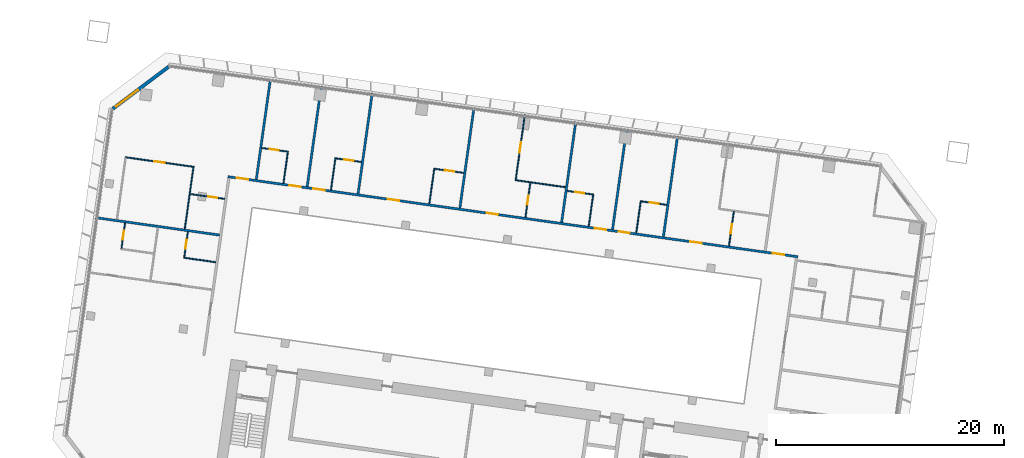
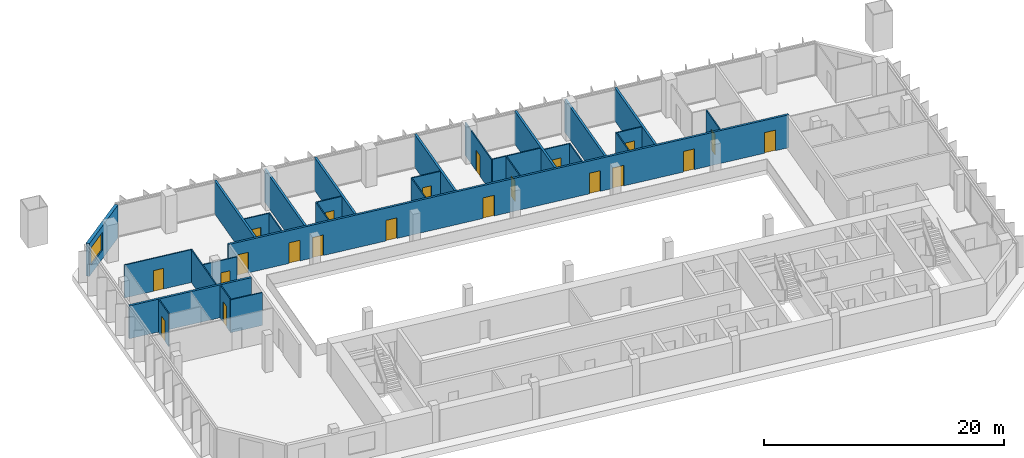
# One storey, part 16 of 24: 30 walls, 21 doors, 1 window, 22 openings.
"""IFC4 building model written with IfcOpenShell, lengths in metres."""

import ifcopenshell
import ifcopenshell.guid

model = None  # the IFC model being written
_history = None  # IfcOwnerHistory: only IFC2X3 demands one
_inside = {}  # id of a spatial element -> (the spatial element, [elements in it])
_under = {}  # id of a project, library or spatial element -> (it, [spatial elements below it])
_declared = {}  # id of a project -> (the project, [libraries it declares])
_typed = {}  # id of a type object -> (the type object, [elements of that type])
_made_of = {}  # id of a material, layer set ... -> (it, [elements and type objects made of it])


def new_model(schema):
    """Start an empty IFC model of exactly this schema.

    Asked for "IFC4X3", IfcOpenShell would pick the latest addendum, in which some entities
    have other attributes; the version numbers below select the first issue.
    IFC2X3 requires an IfcOwnerHistory on every rooted entity: one is made here for all.
    """
    global model, _history
    if schema == "IFC4X3":
        model = ifcopenshell.file(schema_version=(4, 3, 0, 0))
    else:
        model = ifcopenshell.file(schema=schema)
    _inside.clear()
    _under.clear()
    _declared.clear()
    _typed.clear()
    _made_of.clear()
    _history = None
    if model.schema == "IFC2X3":
        org = make("IfcOrganization", Name="unknown")
        user = make(
            "IfcPersonAndOrganization",
            ThePerson=make("IfcPerson", FamilyName="unknown"),
            TheOrganization=org,
        )
        app = make(
            "IfcApplication",
            ApplicationDeveloper=org,
            Version="unknown",
            ApplicationFullName="unknown",
            ApplicationIdentifier="unknown",
        )
        _history = make(
            "IfcOwnerHistory",
            OwningUser=user,
            OwningApplication=app,
            ChangeAction="ADDED",
            CreationDate=0,
        )
    return model


def make(cls, **values):
    """One entity of the class cls with the attributes given. An attribute that is None is left unset."""
    return model.create_entity(
        cls, **{name: value for name, value in values.items() if value is not None}
    )


def rooted(cls, **values):
    """An entity with a GlobalId (a new one), such as an element, a storey or a relation."""
    return make(cls, GlobalId=ifcopenshell.guid.new(), OwnerHistory=_history, **values)


def si_unit(unit_type, name, prefix=None):
    """IfcSIUnit, for example si_unit("LENGTHUNIT", "METRE", prefix="MILLI")."""
    return make("IfcSIUnit", UnitType=unit_type, Prefix=prefix, Name=name)


def assignment(units):
    """IfcUnitAssignment: the units of a project."""
    return None if units is None else make("IfcUnitAssignment", Units=units)


def point(xyz):
    """IfcCartesianPoint."""
    return None if xyz is None else make("IfcCartesianPoint", Coordinates=xyz)


def direction(xyz):
    """IfcDirection."""
    return None if xyz is None else make("IfcDirection", DirectionRatios=xyz)


def frame(location, z_axis=None, x_axis=None):
    """IfcAxis2Placement3D, a coordinate frame: its origin and axes. An axis left out is left unset."""
    return make(
        "IfcAxis2Placement3D",
        Location=point(location),
        Axis=direction(z_axis),
        RefDirection=direction(x_axis),
    )


def frame_2d(location, x_axis=None):
    """IfcAxis2Placement2D, a coordinate frame in the plane: its origin and x axis."""
    return make(
        "IfcAxis2Placement2D", Location=point(location), RefDirection=direction(x_axis)
    )


def origin():
    """The frame at (0, 0, 0) with its axes left unset."""
    return frame((0.0, 0.0, 0.0))


def place(relative_to, where):
    """IfcLocalPlacement: puts the frame where relative to a parent placement (None: the world)."""
    return make(
        "IfcLocalPlacement", PlacementRelTo=relative_to, RelativePlacement=where
    )


def context(
    kind, dimensions, precision=None, world=None, true_north=None, identifier=None
):
    """IfcGeometricRepresentationContext, for example the 3D "Model" context."""
    return make(
        "IfcGeometricRepresentationContext",
        ContextIdentifier=identifier,
        ContextType=kind,
        CoordinateSpaceDimension=dimensions,
        Precision=precision,
        WorldCoordinateSystem=world,
        TrueNorth=true_north,
    )


def subcontext(parent, identifier, kind, view, scale=None):
    """IfcGeometricRepresentationSubContext, for example "Body" below "Model"."""
    return make(
        "IfcGeometricRepresentationSubContext",
        ContextIdentifier=identifier,
        ContextType=kind,
        ParentContext=parent,
        TargetScale=scale,
        TargetView=view,
    )


def project(units=None, contexts=None):
    """IfcProject with its units and contexts."""
    return rooted(
        "IfcProject",
        Name="project",
        RepresentationContexts=contexts,
        UnitsInContext=assignment(units),
    )


def spatial(cls, under=None, at=None, **own):
    """A site, building, storey or space (cls), placed at a placement, below another one or the project."""
    s = rooted(cls, ObjectPlacement=at, **own)
    if under is not None:
        _under.setdefault(under.id(), (under, []))[1].append(s)
    return s


def profile(cls, at=None, kind="AREA", **sizes):
    """A parametric profile (cls). Its sizes go by their IFC names, for example OverallWidth=200.0."""
    return make(cls, ProfileType=kind, Position=at, **sizes)


def rectangle(**sizes):
    """IfcRectangleProfileDef."""
    return profile("IfcRectangleProfileDef", **sizes)


def extrude(swept, where, along, depth):
    """IfcExtrudedAreaSolid: the profile swept, set in the frame where, extruded along a direction by depth."""
    return make(
        "IfcExtrudedAreaSolid",
        SweptArea=swept,
        Position=where,
        ExtrudedDirection=direction(along),
        Depth=depth,
    )


def shape(context_of_items, identifier, shape_type, items):
    """IfcShapeRepresentation: the items that make up one representation, for example the "Body"."""
    return make(
        "IfcShapeRepresentation",
        ContextOfItems=context_of_items,
        RepresentationIdentifier=identifier,
        RepresentationType=shape_type,
        Items=items,
    )


def material(Name=None, Category=None):
    """IfcMaterial."""
    return make("IfcMaterial", Name=Name, Category=Category)


def layer(
    of_material, thickness, ventilated=None, Name=None, Category=None, Priority=None
):
    """IfcMaterialLayer: one layer of a wall or slab, of a material (None: an air gap)."""
    return make(
        "IfcMaterialLayer",
        Material=of_material,
        LayerThickness=thickness,
        IsVentilated=ventilated,
        Name=Name,
        Category=Category,
        Priority=Priority,
    )


def layer_set(layers, Name=None):
    """IfcMaterialLayerSet."""
    return make("IfcMaterialLayerSet", MaterialLayers=layers, LayerSetName=Name)


def made_of(thing, what):
    """Note that an element or type object is made of a material, layer set ...; save() writes the relation."""
    if what is not None:
        _made_of.setdefault(what.id(), (what, []))[1].append(thing)
    return thing


def type_object(cls, material=None, **own):
    """A type object (cls), such as IfcWallType, which elements share."""
    return made_of(rooted(cls, **own), material)


def element(
    cls,
    number,
    at=None,
    inside=None,
    cuts=None,
    type_object=None,
    material=None,
    context=None,
    identifier="Body",
    shape_type=None,
    held_by="IfcProductDefinitionShape",
    body=None,
    shapes=None,
    **own,
):
    """One element of the class cls, such as IfcWall. Its Tag is "e" and its number.

    at: its placement. inside: the storey or other place that contains it. cuts: it is an
    opening in that element (IfcRelVoidsElement). A single representation is given by context,
    identifier, shape_type and body (its items); several are given by shapes. held_by: the class
    of the entity that holds the representations. save() writes the other relations.
    """
    e = rooted(cls, Tag="e%d" % number, ObjectPlacement=at, **own)
    if body is not None:
        shapes = [shape(context, identifier, shape_type, body)]
    if shapes is not None:
        e.Representation = make(held_by, Representations=shapes)
    if inside is not None:
        _inside.setdefault(inside.id(), (inside, []))[1].append(e)
    if cuts is not None:
        rooted(
            "IfcRelVoidsElement", RelatingBuildingElement=cuts, RelatedOpeningElement=e
        )
    if type_object is not None:
        _typed.setdefault(type_object.id(), (type_object, []))[1].append(e)
    return made_of(e, material)


def fill(opening, filler):
    """IfcRelFillsElement: the door or window that sits in an opening."""
    return rooted(
        "IfcRelFillsElement",
        RelatingOpeningElement=opening,
        RelatedBuildingElement=filler,
    )


def aggregate(whole, parts):
    """IfcRelAggregates: a whole, such as a stair, and the parts it consists of."""
    return rooted("IfcRelAggregates", RelatingObject=whole, RelatedObjects=parts)


def save(model, path):
    """Write the relations noted so far, then the file.

    IfcRelAggregates (storeys below a building ...), IfcRelContainedInSpatialStructure (elements
    in a storey), IfcRelDefinesByType, IfcRelAssociatesMaterial and IfcRelDeclares: one each for
    every whole, place, type object, material and project.
    """
    for whole, parts in _under.values():
        aggregate(whole, parts)
    for where, things in _inside.values():
        rooted(
            "IfcRelContainedInSpatialStructure",
            RelatedElements=things,
            RelatingStructure=where,
        )
    for kind, things in _typed.values():
        rooted("IfcRelDefinesByType", RelatedObjects=things, RelatingType=kind)
    for what, things in _made_of.values():
        rooted("IfcRelAssociatesMaterial", RelatedObjects=things, RelatingMaterial=what)
    for by, libraries in _declared.values():
        rooted("IfcRelDeclares", RelatingContext=by, RelatedDefinitions=libraries)
    model.write(path)


model = new_model("IFC4")

# Units and contexts
model_context = context("Model", 3, precision=1e-05, world=origin(), true_north=direction((0.0, 1.0)))
body_context = subcontext(model_context, "Body", "Model", "MODEL_VIEW")
ifc_project = project(units=[si_unit("LENGTHUNIT", "METRE"), si_unit("AREAUNIT", "SQUARE_METRE"), si_unit("VOLUMEUNIT", "CUBIC_METRE"), si_unit("PLANEANGLEUNIT", "RADIAN"), si_unit("MASSUNIT", "GRAM", prefix="KILO")], contexts=[model_context])

# Site, building, storey
site_placement = place(None, origin())
site = spatial("IfcSite", under=ifc_project, at=site_placement, CompositionType="ELEMENT")
building_placement = place(site_placement, origin())
building = spatial("IfcBuilding", under=site, at=building_placement, Name="Mirante Cascada Hotel Towers", CompositionType="ELEMENT")
storey_placement = place(building_placement, frame((0.0, 0.0, 85.1)))
storey = spatial("IfcBuildingStorey", under=building, at=storey_placement, Name="L18", CompositionType="ELEMENT", Elevation=85.1)

# Wall
ifc_material_1 = material(Name="Fire-rated plasterboard on metal studs")
ifc_layer_1 = layer(ifc_material_1, 0.2)
ifc_layer_set_1 = layer_set([ifc_layer_1], Name="Compartment wall 200 EI 120")
wall_type_1 = type_object("IfcWallType", Name="Compartment wall 200 EI 120", PredefinedType="PARTITIONING", material=ifc_layer_set_1)
wall_1_placement = place(storey_placement, frame((-89.7337, 11.2758, 0.0), z_axis=(0.0, 0.0, 1.0), x_axis=(-0.990268, 0.1391733, 0.0)))
element("IfcWall", 1, at=wall_1_placement, inside=storey, type_object=wall_type_1, Name="Wall 1-L18-09", PredefinedType="PARTITIONING", context=body_context, shape_type="SweptSolid", body=[
    extrude(rectangle(XDim=11.0, YDim=0.2, at=frame_2d((5.5, 0.0))), origin(), (0.0, 0.0, 1.0), 3.35),
])

# Wall, openings, doors
wall_2_placement = place(storey_placement, frame((-89.0146, 16.3922, 0.0), z_axis=(0.0, 0.0, 1.0), x_axis=(0.9902681, -0.1391727, 0.0)))
wall_2 = element("IfcWall", 2, at=wall_2_placement, inside=storey, type_object=wall_type_1, Name="Wall 1-L18-14", PredefinedType="PARTITIONING", context=body_context, shape_type="SweptSolid", body=[
    extrude(rectangle(XDim=50.4, YDim=0.2, at=frame_2d((25.2, 0.0))), origin(), (0.0, 0.0, 1.0), 3.35),
])
opening_1_placement = place(wall_2_placement, frame((48.2, 0.0, 0.0)))
opening_1 = element("IfcOpeningElement", 3, at=opening_1_placement, cuts=wall_2, Name="Opening D1-L18-08", PredefinedType="OPENING", context=body_context, shape_type="SweptSolid", body=[
    extrude(rectangle(XDim=1.0, YDim=2.1, at=frame_2d((0.5, 1.05))), frame((0.0, 0.1, 0.0), z_axis=(0.0, -1.0, 0.0), x_axis=(1.0, 0.0, 0.0)), (0.0, 0.0, 1.0), 0.2),
])
opening_2_placement = place(wall_2_placement, frame((40.9, 0.0, 0.0)))
opening_2 = element("IfcOpeningElement", 4, at=opening_2_placement, cuts=wall_2, Name="Opening D1-L18-09", PredefinedType="OPENING", context=body_context, shape_type="SweptSolid", body=[
    extrude(rectangle(XDim=1.0, YDim=2.1, at=frame_2d((0.5, 1.05))), frame((0.0, 0.1, 0.0), z_axis=(0.0, -1.0, 0.0), x_axis=(1.0, 0.0, 0.0)), (0.0, 0.0, 1.0), 0.2),
])
opening_3_placement = place(wall_2_placement, frame((34.55, 0.0, 0.0)))
opening_3 = element("IfcOpeningElement", 5, at=opening_3_placement, cuts=wall_2, Name="Opening D1-L18-10", PredefinedType="OPENING", context=body_context, shape_type="SweptSolid", body=[
    extrude(rectangle(XDim=1.0, YDim=2.1, at=frame_2d((0.5, 1.05))), frame((0.0, 0.1, 0.0), z_axis=(0.0, -1.0, 0.0), x_axis=(1.0, 0.0, 0.0)), (0.0, 0.0, 1.0), 0.2),
])
opening_4_placement = place(wall_2_placement, frame((32.45, 0.0, 0.0)))
opening_4 = element("IfcOpeningElement", 6, at=opening_4_placement, cuts=wall_2, Name="Opening D1-L18-11", PredefinedType="OPENING", context=body_context, shape_type="SweptSolid", body=[
    extrude(rectangle(XDim=1.0, YDim=2.1, at=frame_2d((0.5, 1.05))), frame((0.0, 0.1, 0.0), z_axis=(0.0, -1.0, 0.0), x_axis=(1.0, 0.0, 0.0)), (0.0, 0.0, 1.0), 0.2),
])
opening_5_placement = place(wall_2_placement, frame((22.9, 0.0, 0.0)))
opening_5 = element("IfcOpeningElement", 7, at=opening_5_placement, cuts=wall_2, Name="Opening D1-L18-12", PredefinedType="OPENING", context=body_context, shape_type="SweptSolid", body=[
    extrude(rectangle(XDim=1.0, YDim=2.1, at=frame_2d((0.5, 1.05))), frame((0.0, 0.1, 0.0), z_axis=(0.0, -1.0, 0.0), x_axis=(1.0, 0.0, 0.0)), (0.0, 0.0, 1.0), 0.2),
])
opening_6_placement = place(wall_2_placement, frame((14.15, 0.0, 0.0)))
opening_6 = element("IfcOpeningElement", 8, at=opening_6_placement, cuts=wall_2, Name="Opening D1-L18-13", PredefinedType="OPENING", context=body_context, shape_type="SweptSolid", body=[
    extrude(rectangle(XDim=1.0, YDim=2.1, at=frame_2d((0.5, 1.05))), frame((0.0, 0.1, 0.0), z_axis=(0.0, -1.0, 0.0), x_axis=(1.0, 0.0, 0.0)), (0.0, 0.0, 1.0), 0.2),
])
opening_7_placement = place(wall_2_placement, frame((7.55, 0.0, 0.0)))
opening_7 = element("IfcOpeningElement", 9, at=opening_7_placement, cuts=wall_2, Name="Opening D1-L18-14", PredefinedType="OPENING", context=body_context, shape_type="SweptSolid", body=[
    extrude(rectangle(XDim=1.0, YDim=2.1, at=frame_2d((0.5, 1.05))), frame((0.0, 0.1, 0.0), z_axis=(0.0, -1.0, 0.0), x_axis=(1.0, 0.0, 0.0)), (0.0, 0.0, 1.0), 0.2),
])
opening_8_placement = place(wall_2_placement, frame((5.45, 0.0, 0.0)))
opening_8 = element("IfcOpeningElement", 10, at=opening_8_placement, cuts=wall_2, Name="Opening D1-L18-15", PredefinedType="OPENING", context=body_context, shape_type="SweptSolid", body=[
    extrude(rectangle(XDim=1.0, YDim=2.1, at=frame_2d((0.5, 1.05))), frame((0.0, 0.1, 0.0), z_axis=(0.0, -1.0, 0.0), x_axis=(1.0, 0.0, 0.0)), (0.0, 0.0, 1.0), 0.2),
])
opening_9_placement = place(wall_2_placement, frame((0.8, 0.0, 0.0)))
opening_9 = element("IfcOpeningElement", 11, at=opening_9_placement, cuts=wall_2, Name="Opening D1-L18-16", PredefinedType="OPENING", context=body_context, shape_type="SweptSolid", body=[
    extrude(rectangle(XDim=1.0, YDim=2.1, at=frame_2d((0.5, 1.05))), frame((0.0, 0.1, 0.0), z_axis=(0.0, -1.0, 0.0), x_axis=(1.0, 0.0, 0.0)), (0.0, 0.0, 1.0), 0.2),
])
ifc_material_2 = material(Name="Fire-rated timber door leaf", Category="wood")
door_type_1 = type_object("IfcDoorType", Name="Entrance door DG1 1000x2100 EI 60", OperationType="SINGLE_SWING_LEFT", PredefinedType="DOOR", material=ifc_material_2)
door_1_placement = place(opening_1_placement, origin())
door_1 = element("IfcDoor", 12, at=door_1_placement, inside=storey, type_object=door_type_1, Name="Door D1-L18-08", OperationType="SINGLE_SWING_LEFT", OverallHeight=2.1, OverallWidth=1.0, PredefinedType="DOOR", context=body_context, shape_type="SweptSolid", body=[
    extrude(rectangle(XDim=1.0, YDim=2.1, at=frame_2d((0.5, 1.05))), frame((0.0, 0.025, 0.0), z_axis=(0.0, -1.0, 0.0), x_axis=(1.0, 0.0, 0.0)), (0.0, 0.0, 1.0), 0.05),
])
fill(opening_1, door_1)
door_2_placement = place(opening_2_placement, origin())
door_2 = element("IfcDoor", 13, at=door_2_placement, inside=storey, type_object=door_type_1, Name="Door D1-L18-09", OperationType="SINGLE_SWING_LEFT", OverallHeight=2.1, OverallWidth=1.0, PredefinedType="DOOR", context=body_context, shape_type="SweptSolid", body=[
    extrude(rectangle(XDim=1.0, YDim=2.1, at=frame_2d((0.5, 1.05))), frame((0.0, 0.025, 0.0), z_axis=(0.0, -1.0, 0.0), x_axis=(1.0, 0.0, 0.0)), (0.0, 0.0, 1.0), 0.05),
])
fill(opening_2, door_2)
door_3_placement = place(opening_3_placement, origin())
door_3 = element("IfcDoor", 14, at=door_3_placement, inside=storey, type_object=door_type_1, Name="Door D1-L18-10", OperationType="SINGLE_SWING_LEFT", OverallHeight=2.1, OverallWidth=1.0, PredefinedType="DOOR", context=body_context, shape_type="SweptSolid", body=[
    extrude(rectangle(XDim=1.0, YDim=2.1, at=frame_2d((0.5, 1.05))), frame((0.0, 0.025, 0.0), z_axis=(0.0, -1.0, 0.0), x_axis=(1.0, 0.0, 0.0)), (0.0, 0.0, 1.0), 0.05),
])
fill(opening_3, door_3)
door_4_placement = place(opening_4_placement, origin())
door_4 = element("IfcDoor", 15, at=door_4_placement, inside=storey, type_object=door_type_1, Name="Door D1-L18-11", OperationType="SINGLE_SWING_LEFT", OverallHeight=2.1, OverallWidth=1.0, PredefinedType="DOOR", context=body_context, shape_type="SweptSolid", body=[
    extrude(rectangle(XDim=1.0, YDim=2.1, at=frame_2d((0.5, 1.05))), frame((0.0, 0.025, 0.0), z_axis=(0.0, -1.0, 0.0), x_axis=(1.0, 0.0, 0.0)), (0.0, 0.0, 1.0), 0.05),
])
fill(opening_4, door_4)
door_5_placement = place(opening_5_placement, origin())
door_5 = element("IfcDoor", 16, at=door_5_placement, inside=storey, type_object=door_type_1, Name="Door D1-L18-12", OperationType="SINGLE_SWING_LEFT", OverallHeight=2.1, OverallWidth=1.0, PredefinedType="DOOR", context=body_context, shape_type="SweptSolid", body=[
    extrude(rectangle(XDim=1.0, YDim=2.1, at=frame_2d((0.5, 1.05))), frame((0.0, 0.025, 0.0), z_axis=(0.0, -1.0, 0.0), x_axis=(1.0, 0.0, 0.0)), (0.0, 0.0, 1.0), 0.05),
])
fill(opening_5, door_5)
door_6_placement = place(opening_6_placement, origin())
door_6 = element("IfcDoor", 17, at=door_6_placement, inside=storey, type_object=door_type_1, Name="Door D1-L18-13", OperationType="SINGLE_SWING_LEFT", OverallHeight=2.1, OverallWidth=1.0, PredefinedType="DOOR", context=body_context, shape_type="SweptSolid", body=[
    extrude(rectangle(XDim=1.0, YDim=2.1, at=frame_2d((0.5, 1.05))), frame((0.0, 0.025, 0.0), z_axis=(0.0, -1.0, 0.0), x_axis=(1.0, 0.0, 0.0)), (0.0, 0.0, 1.0), 0.05),
])
fill(opening_6, door_6)
door_7_placement = place(opening_7_placement, origin())
door_7 = element("IfcDoor", 18, at=door_7_placement, inside=storey, type_object=door_type_1, Name="Door D1-L18-14", OperationType="SINGLE_SWING_LEFT", OverallHeight=2.1, OverallWidth=1.0, PredefinedType="DOOR", context=body_context, shape_type="SweptSolid", body=[
    extrude(rectangle(XDim=1.0, YDim=2.1, at=frame_2d((0.5, 1.05))), frame((0.0, 0.025, 0.0), z_axis=(0.0, -1.0, 0.0), x_axis=(1.0, 0.0, 0.0)), (0.0, 0.0, 1.0), 0.05),
])
fill(opening_7, door_7)
door_8_placement = place(opening_8_placement, origin())
door_8 = element("IfcDoor", 19, at=door_8_placement, inside=storey, type_object=door_type_1, Name="Door D1-L18-15", OperationType="SINGLE_SWING_LEFT", OverallHeight=2.1, OverallWidth=1.0, PredefinedType="DOOR", context=body_context, shape_type="SweptSolid", body=[
    extrude(rectangle(XDim=1.0, YDim=2.1, at=frame_2d((0.5, 1.05))), frame((0.0, 0.025, 0.0), z_axis=(0.0, -1.0, 0.0), x_axis=(1.0, 0.0, 0.0)), (0.0, 0.0, 1.0), 0.05),
])
fill(opening_8, door_8)
door_9_placement = place(opening_9_placement, origin())
door_9 = element("IfcDoor", 20, at=door_9_placement, inside=storey, type_object=door_type_1, Name="Door D1-L18-16", OperationType="SINGLE_SWING_LEFT", OverallHeight=2.1, OverallWidth=1.0, PredefinedType="DOOR", context=body_context, shape_type="SweptSolid", body=[
    extrude(rectangle(XDim=1.0, YDim=2.1, at=frame_2d((0.5, 1.05))), frame((0.0, 0.025, 0.0), z_axis=(0.0, -1.0, 0.0), x_axis=(1.0, 0.0, 0.0)), (0.0, 0.0, 1.0), 0.05),
])
fill(opening_9, door_9)

# Walls
for number, where, z_axis, x_axis, name in (
    (21, (-50.8754, 11.1331, 0.0), (0.0, 0.0, 1.0), (0.1391794, 0.9902672, 0.0), "Wall 1-L18-35"),
    (22, (-55.3316, 11.7594, 0.0), (0.0, 0.0, 1.0), (0.1391794, 0.9902672, 0.0), "Wall 1-L18-37"),
):
    element("IfcWall", number, at=place(storey_placement, frame(where, z_axis=z_axis, x_axis=x_axis)), inside=storey, type_object=wall_type_1, Name=name, PredefinedType="PARTITIONING", context=body_context, shape_type="SweptSolid", body=[
        extrude(rectangle(XDim=8.9, YDim=0.2, at=frame_2d((4.45, 0.0))), origin(), (0.0, 0.0, 1.0), 3.35),
    ])
wall_3_placement = place(storey_placement, frame((-59.7878, 12.3857, 0.0), z_axis=(0.0, 0.0, 1.0), x_axis=(0.13917, 0.9902685, 0.0)))
element("IfcWall", 23, at=wall_3_placement, inside=storey, type_object=wall_type_1, Name="Wall 1-L18-39", PredefinedType="PARTITIONING", context=body_context, shape_type="SweptSolid", body=[
    extrude(rectangle(XDim=8.8999, YDim=0.2, at=frame_2d((4.45, 0.0))), origin(), (0.0, 0.0, 1.0), 3.35),
])
for number, where, z_axis, x_axis, name in (
    (24, (-67.4616, 22.4516, 0.0), (0.0, 0.0, 1.0), (-0.1391684, -0.9902687, 0.0), "Wall 1-L18-42"),
    (25, (-76.374, 23.7042, 0.0), (0.0, 0.0, 1.0), (-0.1391684, -0.9902687, 0.0), "Wall 1-L18-44"),
):
    element("IfcWall", number, at=place(storey_placement, frame(where, z_axis=z_axis, x_axis=x_axis)), inside=storey, type_object=wall_type_1, Name=name, PredefinedType="PARTITIONING", context=body_context, shape_type="SweptSolid", body=[
        extrude(rectangle(XDim=8.9, YDim=0.2, at=frame_2d((4.45, 0.0))), origin(), (0.0, 0.0, 1.0), 3.35),
    ])
wall_4_placement = place(storey_placement, frame((-80.8302, 24.3304, 0.0), z_axis=(0.0, 0.0, 1.0), x_axis=(-0.13917, -0.9902685, 0.0)))
element("IfcWall", 26, at=wall_4_placement, inside=storey, type_object=wall_type_1, Name="Wall 1-L18-46", PredefinedType="PARTITIONING", context=body_context, shape_type="SweptSolid", body=[
    extrude(rectangle(XDim=8.8999, YDim=0.2, at=frame_2d((4.45, 0.0))), origin(), (0.0, 0.0, 1.0), 3.35),
])
wall_5_placement = place(storey_placement, frame((-85.2864, 24.9567, 0.0), z_axis=(0.0, 0.0, 1.0), x_axis=(-0.1391684, -0.9902687, 0.0)))
element("IfcWall", 27, at=wall_5_placement, inside=storey, type_object=wall_type_1, Name="Wall 1-L18-48", PredefinedType="PARTITIONING", context=body_context, shape_type="SweptSolid", body=[
    extrude(rectangle(XDim=8.9, YDim=0.2, at=frame_2d((4.45, 0.0))), origin(), (0.0, 0.0, 1.0), 3.35),
])
ifc_material_3 = material(Name="Plasterboard on metal studs")
ifc_layer_2 = layer(ifc_material_3, 0.1)
ifc_layer_set_2 = layer_set([ifc_layer_2], Name="Partition 100")
wall_type_2 = type_object("IfcWallType", Name="Partition 100", PredefinedType="PARTITIONING", material=ifc_layer_set_2)
wall_6_placement = place(storey_placement, frame((-92.89, 9.2958, 0.0), z_axis=(0.0, 0.0, 1.0), x_axis=(0.9902704, -0.1391564, 0.0)))
element("IfcWall", 28, at=wall_6_placement, inside=storey, type_object=wall_type_2, Name="Wall 1-L18-06", PredefinedType="PARTITIONING", context=body_context, shape_type="SweptSolid", body=[
    extrude(rectangle(XDim=2.85, YDim=0.1, at=frame_2d((1.425, 0.0))), origin(), (0.0, 0.0, 1.0), 3.35),
])

# Wall, opening, door
wall_7_placement = place(storey_placement, frame((-92.3087, 14.8692, 0.0), z_axis=(0.0, 0.0, 1.0), x_axis=(0.9902676, -0.1391765, 0.0)))
wall_7 = element("IfcWall", 29, at=wall_7_placement, inside=storey, type_object=wall_type_2, Name="Wall 1-L18-12", PredefinedType="PARTITIONING", context=body_context, shape_type="SweptSolid", body=[
    extrude(rectangle(XDim=3.0501, YDim=0.1, at=frame_2d((1.525, 0.0))), origin(), (0.0, 0.0, 1.0), 3.35),
])
opening_10_placement = place(wall_7_placement, frame((1.6, 0.0, 0.0)))
opening_10 = element("IfcOpeningElement", 30, at=opening_10_placement, cuts=wall_7, Name="Opening D1-L18-05", PredefinedType="OPENING", context=body_context, shape_type="SweptSolid", body=[
    extrude(rectangle(XDim=0.8, YDim=2.1, at=frame_2d((0.4, 1.05))), frame((0.0, 0.05, 0.0), z_axis=(0.0, -1.0, 0.0), x_axis=(1.0, 0.0, 0.0)), (0.0, 0.0, 1.0), 0.1),
])
ifc_material_4 = material(Name="Timber door leaf", Category="wood")
door_type_2 = type_object("IfcDoorType", Name="Bathroom door DG4 800x2100", OperationType="SINGLE_SWING_LEFT", PredefinedType="DOOR", material=ifc_material_4)
door_10_placement = place(opening_10_placement, origin())
door_10 = element("IfcDoor", 31, at=door_10_placement, inside=storey, type_object=door_type_2, Name="Door D1-L18-05", OperationType="SINGLE_SWING_LEFT", OverallHeight=2.1, OverallWidth=0.8, PredefinedType="DOOR", context=body_context, shape_type="SweptSolid", body=[
    extrude(rectangle(XDim=0.8, YDim=2.1, at=frame_2d((0.4, 1.05))), frame((0.0, 0.025, 0.0), z_axis=(0.0, -1.0, 0.0), x_axis=(1.0, 0.0, 0.0)), (0.0, 0.0, 1.0), 0.05),
])
fill(opening_10, door_10)

wall_8_placement = place(storey_placement, frame((-91.9746, 17.2458, 0.0), z_axis=(0.0, 0.0, 1.0), x_axis=(-0.9902673, 0.1391787, 0.0)))
wall_8 = element("IfcWall", 32, at=wall_8_placement, inside=storey, type_object=wall_type_2, Name="Wall 1-L18-15", PredefinedType="PARTITIONING", context=body_context, shape_type="SweptSolid", body=[
    extrude(rectangle(XDim=6.1001, YDim=0.1, at=frame_2d((3.05, 0.0))), origin(), (0.0, 0.0, 1.0), 3.35),
])
opening_11_placement = place(wall_8_placement, frame((2.6, 0.0, 0.0)))
opening_11 = element("IfcOpeningElement", 33, at=opening_11_placement, cuts=wall_8, Name="Opening D1-L18-17", PredefinedType="OPENING", context=body_context, shape_type="SweptSolid", body=[
    extrude(rectangle(XDim=0.9, YDim=2.1, at=frame_2d((0.45, 1.05))), frame((0.0, 0.05, 0.0), z_axis=(0.0, -1.0, 0.0), x_axis=(1.0, 0.0, 0.0)), (0.0, 0.0, 1.0), 0.1),
])
ifc_material_5 = material(Name="Timber door leaf", Category="wood")
door_type_3 = type_object("IfcDoorType", Name="Room door DG3 900x2100", OperationType="SINGLE_SWING_LEFT", PredefinedType="DOOR", material=ifc_material_5)
door_11_placement = place(opening_11_placement, frame((0.9, 0.0, 0.0), z_axis=(0.0, 0.0, 1.0), x_axis=(-1.0, 0.0, 0.0)))
door_11 = element("IfcDoor", 34, at=door_11_placement, inside=storey, type_object=door_type_3, Name="Door D1-L18-17", OperationType="SINGLE_SWING_RIGHT", OverallHeight=2.1, OverallWidth=0.9, PredefinedType="DOOR", context=body_context, shape_type="SweptSolid", body=[
    extrude(rectangle(XDim=0.9, YDim=2.1, at=frame_2d((0.45, 1.05))), frame((0.0, 0.025, 0.0), z_axis=(0.0, -1.0, 0.0), x_axis=(1.0, 0.0, 0.0)), (0.0, 0.0, 1.0), 0.05),
])
fill(opening_11, door_11)

wall_9_placement = place(storey_placement, frame((-52.8128, 14.2329, 0.0), z_axis=(0.0, 0.0, 1.0), x_axis=(0.9902705, -0.1391561, 0.0)))
wall_9 = element("IfcWall", 35, at=wall_9_placement, inside=storey, type_object=wall_type_2, Name="Wall 1-L18-16", PredefinedType="PARTITIONING", context=body_context, shape_type="SweptSolid", body=[
    extrude(rectangle(XDim=2.25, YDim=0.1, at=frame_2d((1.125, 0.0))), origin(), (0.0, 0.0, 1.0), 3.35),
])
opening_12_placement = place(wall_9_placement, frame((0.75, 0.0, 0.0)))
opening_12 = element("IfcOpeningElement", 36, at=opening_12_placement, cuts=wall_9, Name="Opening D1-L18-18", PredefinedType="OPENING", context=body_context, shape_type="SweptSolid", body=[
    extrude(rectangle(XDim=0.8, YDim=2.1, at=frame_2d((0.4, 1.05))), frame((0.0, 0.05, 0.0), z_axis=(0.0, -1.0, 0.0), x_axis=(1.0, 0.0, 0.0)), (0.0, 0.0, 1.0), 0.1),
])
door_12_placement = place(opening_12_placement, origin())
door_12 = element("IfcDoor", 37, at=door_12_placement, inside=storey, type_object=door_type_2, Name="Door D1-L18-18", OperationType="SINGLE_SWING_LEFT", OverallHeight=2.1, OverallWidth=0.8, PredefinedType="DOOR", context=body_context, shape_type="SweptSolid", body=[
    extrude(rectangle(XDim=0.8, YDim=2.1, at=frame_2d((0.4, 1.05))), frame((0.0, 0.025, 0.0), z_axis=(0.0, -1.0, 0.0), x_axis=(1.0, 0.0, 0.0)), (0.0, 0.0, 1.0), 0.05),
])
fill(opening_12, door_12)

wall_10_placement = place(storey_placement, frame((-57.071, 14.8314, 0.0), z_axis=(0.0, 0.0, 1.0), x_axis=(-0.9902705, 0.1391561, 0.0)))
wall_10 = element("IfcWall", 38, at=wall_10_placement, inside=storey, type_object=wall_type_2, Name="Wall 1-L18-17", PredefinedType="PARTITIONING", context=body_context, shape_type="SweptSolid", body=[
    extrude(rectangle(XDim=2.25, YDim=0.1, at=frame_2d((1.125, 0.0))), origin(), (0.0, 0.0, 1.0), 3.35),
])
opening_13_placement = place(wall_10_placement, frame((0.75, 0.0, 0.0)))
opening_13 = element("IfcOpeningElement", 39, at=opening_13_placement, cuts=wall_10, Name="Opening D1-L18-19", PredefinedType="OPENING", context=body_context, shape_type="SweptSolid", body=[
    extrude(rectangle(XDim=0.8, YDim=2.1, at=frame_2d((0.4, 1.05))), frame((0.0, 0.05, 0.0), z_axis=(0.0, -1.0, 0.0), x_axis=(1.0, 0.0, 0.0)), (0.0, 0.0, 1.0), 0.1),
])
door_13_placement = place(opening_13_placement, frame((0.8, 0.0, 0.0), z_axis=(0.0, 0.0, 1.0), x_axis=(-1.0, 0.0, 0.0)))
door_13 = element("IfcDoor", 40, at=door_13_placement, inside=storey, type_object=door_type_2, Name="Door D1-L18-19", OperationType="SINGLE_SWING_RIGHT", OverallHeight=2.1, OverallWidth=0.8, PredefinedType="DOOR", context=body_context, shape_type="SweptSolid", body=[
    extrude(rectangle(XDim=0.8, YDim=2.1, at=frame_2d((0.4, 1.05))), frame((0.0, 0.025, 0.0), z_axis=(0.0, -1.0, 0.0), x_axis=(1.0, 0.0, 0.0)), (0.0, 0.0, 1.0), 0.05),
])
fill(opening_13, door_13)

wall_11_placement = place(storey_placement, frame((-79.5501, 17.9906, 0.0), z_axis=(0.0, 0.0, 1.0), x_axis=(0.9902643, -0.1391997, 0.0)))
wall_11 = element("IfcWall", 41, at=wall_11_placement, inside=storey, type_object=wall_type_2, Name="Wall 1-L18-18", PredefinedType="PARTITIONING", context=body_context, shape_type="SweptSolid", body=[
    extrude(rectangle(XDim=2.25, YDim=0.1, at=frame_2d((1.125, 0.0))), origin(), (0.0, 0.0, 1.0), 3.35),
])
opening_14_placement = place(wall_11_placement, frame((0.75, 0.0, 0.0)))
opening_14 = element("IfcOpeningElement", 42, at=opening_14_placement, cuts=wall_11, Name="Opening D1-L18-20", PredefinedType="OPENING", context=body_context, shape_type="SweptSolid", body=[
    extrude(rectangle(XDim=0.8, YDim=2.1, at=frame_2d((0.4, 1.05))), frame((0.0, 0.05, 0.0), z_axis=(0.0, -1.0, 0.0), x_axis=(1.0, 0.0, 0.0)), (0.0, 0.0, 1.0), 0.1),
])
door_14_placement = place(opening_14_placement, origin())
door_14 = element("IfcDoor", 43, at=door_14_placement, inside=storey, type_object=door_type_2, Name="Door D1-L18-20", OperationType="SINGLE_SWING_LEFT", OverallHeight=2.1, OverallWidth=0.8, PredefinedType="DOOR", context=body_context, shape_type="SweptSolid", body=[
    extrude(rectangle(XDim=0.8, YDim=2.1, at=frame_2d((0.4, 1.05))), frame((0.0, 0.025, 0.0), z_axis=(0.0, -1.0, 0.0), x_axis=(1.0, 0.0, 0.0)), (0.0, 0.0, 1.0), 0.05),
])
fill(opening_14, door_14)

wall_12_placement = place(storey_placement, frame((-83.8082, 18.589, 0.0), z_axis=(0.0, 0.0, 1.0), x_axis=(-0.9902643, 0.1391997, 0.0)))
wall_12 = element("IfcWall", 44, at=wall_12_placement, inside=storey, type_object=wall_type_2, Name="Wall 1-L18-19", PredefinedType="PARTITIONING", context=body_context, shape_type="SweptSolid", body=[
    extrude(rectangle(XDim=2.25, YDim=0.1, at=frame_2d((1.125, 0.0))), origin(), (0.0, 0.0, 1.0), 3.35),
])
opening_15_placement = place(wall_12_placement, frame((0.75, 0.0, 0.0)))
opening_15 = element("IfcOpeningElement", 45, at=opening_15_placement, cuts=wall_12, Name="Opening D1-L18-21", PredefinedType="OPENING", context=body_context, shape_type="SweptSolid", body=[
    extrude(rectangle(XDim=0.8, YDim=2.1, at=frame_2d((0.4, 1.05))), frame((0.0, 0.05, 0.0), z_axis=(0.0, -1.0, 0.0), x_axis=(1.0, 0.0, 0.0)), (0.0, 0.0, 1.0), 0.1),
])
door_15_placement = place(opening_15_placement, frame((0.8, 0.0, 0.0), z_axis=(0.0, 0.0, 1.0), x_axis=(-1.0, 0.0, 0.0)))
door_15 = element("IfcDoor", 46, at=door_15_placement, inside=storey, type_object=door_type_2, Name="Door D1-L18-21", OperationType="SINGLE_SWING_RIGHT", OverallHeight=2.1, OverallWidth=0.8, PredefinedType="DOOR", context=body_context, shape_type="SweptSolid", body=[
    extrude(rectangle(XDim=0.8, YDim=2.1, at=frame_2d((0.4, 1.05))), frame((0.0, 0.025, 0.0), z_axis=(0.0, -1.0, 0.0), x_axis=(1.0, 0.0, 0.0)), (0.0, 0.0, 1.0), 0.05),
])
fill(opening_15, door_15)

# Wall
wall_13_placement = place(storey_placement, frame((-59.4554, 15.4694, 0.0), z_axis=(0.0, 0.0, 1.0), x_axis=(-0.9902683, 0.1391714, 0.0)))
element("IfcWall", 47, at=wall_13_placement, inside=storey, type_object=wall_type_2, Name="Wall 1-L18-21", PredefinedType="PARTITIONING", context=body_context, shape_type="SweptSolid", body=[
    extrude(rectangle(XDim=4.35, YDim=0.1, at=frame_2d((2.175, 0.0))), origin(), (0.0, 0.0, 1.0), 3.35),
])

# Wall, opening, door
wall_14_placement = place(storey_placement, frame((-70.893, 17.0769, 0.0), z_axis=(0.0, 0.0, 1.0), x_axis=(0.9902677, -0.1391755, 0.0)))
wall_14 = element("IfcWall", 48, at=wall_14_placement, inside=storey, type_object=wall_type_2, Name="Wall 1-L18-22", PredefinedType="PARTITIONING", context=body_context, shape_type="SweptSolid", body=[
    extrude(rectangle(XDim=2.55, YDim=0.1, at=frame_2d((1.275, 0.0))), origin(), (0.0, 0.0, 1.0), 3.35),
])
opening_16_placement = place(wall_14_placement, frame((0.9, 0.0, 0.0)))
opening_16 = element("IfcOpeningElement", 49, at=opening_16_placement, cuts=wall_14, Name="Opening D1-L18-22", PredefinedType="OPENING", context=body_context, shape_type="SweptSolid", body=[
    extrude(rectangle(XDim=0.8, YDim=2.1, at=frame_2d((0.4, 1.05))), frame((0.0, 0.05, 0.0), z_axis=(0.0, -1.0, 0.0), x_axis=(1.0, 0.0, 0.0)), (0.0, 0.0, 1.0), 0.1),
])
door_16_placement = place(opening_16_placement, origin())
door_16 = element("IfcDoor", 50, at=door_16_placement, inside=storey, type_object=door_type_2, Name="Door D1-L18-22", OperationType="SINGLE_SWING_LEFT", OverallHeight=2.1, OverallWidth=0.8, PredefinedType="DOOR", context=body_context, shape_type="SweptSolid", body=[
    extrude(rectangle(XDim=0.8, YDim=2.1, at=frame_2d((0.4, 1.05))), frame((0.0, 0.025, 0.0), z_axis=(0.0, -1.0, 0.0), x_axis=(1.0, 0.0, 0.0)), (0.0, 0.0, 1.0), 0.05),
])
fill(opening_16, door_16)

wall_15_placement = place(storey_placement, frame((-45.1318, 10.3259, 0.0), z_axis=(0.0, 0.0, 1.0), x_axis=(0.1391488, 0.9902715, 0.0)))
wall_15 = element("IfcWall", 51, at=wall_15_placement, inside=storey, type_object=wall_type_2, Name="Wall 1-L18-33", PredefinedType="PARTITIONING", context=body_context, shape_type="SweptSolid", body=[
    extrude(rectangle(XDim=3.05, YDim=0.1, at=frame_2d((1.525, 0.0))), origin(), (0.0, 0.0, 1.0), 3.35),
])
opening_17_placement = place(wall_15_placement, frame((1.1, 0.0, 0.0)))
opening_17 = element("IfcOpeningElement", 52, at=opening_17_placement, cuts=wall_15, Name="Opening D1-L18-27", PredefinedType="OPENING", context=body_context, shape_type="SweptSolid", body=[
    extrude(rectangle(XDim=0.8, YDim=2.1, at=frame_2d((0.4, 1.05))), frame((0.0, 0.05, 0.0), z_axis=(0.0, -1.0, 0.0), x_axis=(1.0, 0.0, 0.0)), (0.0, 0.0, 1.0), 0.1),
])
door_17_placement = place(opening_17_placement, origin())
door_17 = element("IfcDoor", 53, at=door_17_placement, inside=storey, type_object=door_type_2, Name="Door D1-L18-27", OperationType="SINGLE_SWING_LEFT", OverallHeight=2.1, OverallWidth=0.8, PredefinedType="DOOR", context=body_context, shape_type="SweptSolid", body=[
    extrude(rectangle(XDim=0.8, YDim=2.1, at=frame_2d((0.4, 1.05))), frame((0.0, 0.025, 0.0), z_axis=(0.0, -1.0, 0.0), x_axis=(1.0, 0.0, 0.0)), (0.0, 0.0, 1.0), 0.05),
])
fill(opening_17, door_17)

# Walls
for number, where, z_axis, x_axis, name in (
    (54, (-52.8554, 14.2894, 0.0), (0.0, 0.0, 1.0), (-0.1391564, -0.9902704, 0.0), "Wall 1-L18-36"),
    (55, (-57.0145, 14.8739, 0.0), (0.0, 0.0, 1.0), (-0.1391909, -0.9902656, 0.0), "Wall 1-L18-38"),
):
    element("IfcWall", number, at=place(storey_placement, frame(where, z_axis=z_axis, x_axis=x_axis)), inside=storey, type_object=wall_type_2, Name=name, PredefinedType="PARTITIONING", context=body_context, shape_type="SweptSolid", body=[
        extrude(rectangle(XDim=2.85, YDim=0.1, at=frame_2d((1.425, 0.0))), origin(), (0.0, 0.0, 1.0), 3.35),
    ])

# Wall, opening, door
wall_16_placement = place(storey_placement, frame((-62.5322, 15.8513, 0.0), z_axis=(0.0, 0.0, 1.0), x_axis=(-0.139181, -0.990267, 0.0)))
wall_16 = element("IfcWall", 56, at=wall_16_placement, inside=storey, type_object=wall_type_2, Name="Wall 1-L18-40", PredefinedType="PARTITIONING", context=body_context, shape_type="SweptSolid", body=[
    extrude(rectangle(XDim=3.05, YDim=0.1, at=frame_2d((1.525, 0.0))), origin(), (0.0, 0.0, 1.0), 3.35),
])
opening_18_placement = place(wall_16_placement, frame((1.15, 0.0, 0.0)))
opening_18 = element("IfcOpeningElement", 57, at=opening_18_placement, cuts=wall_16, Name="Opening D1-L18-29", PredefinedType="OPENING", context=body_context, shape_type="SweptSolid", body=[
    extrude(rectangle(XDim=0.8, YDim=2.1, at=frame_2d((0.4, 1.05))), frame((0.0, 0.05, 0.0), z_axis=(0.0, -1.0, 0.0), x_axis=(1.0, 0.0, 0.0)), (0.0, 0.0, 1.0), 0.1),
])
door_18_placement = place(opening_18_placement, frame((0.8, 0.0, 0.0), z_axis=(0.0, 0.0, 1.0), x_axis=(-1.0, 0.0, 0.0)))
door_18 = element("IfcDoor", 58, at=door_18_placement, inside=storey, type_object=door_type_2, Name="Door D1-L18-29", OperationType="SINGLE_SWING_RIGHT", OverallHeight=2.1, OverallWidth=0.8, PredefinedType="DOOR", context=body_context, shape_type="SweptSolid", body=[
    extrude(rectangle(XDim=0.8, YDim=2.1, at=frame_2d((0.4, 1.05))), frame((0.0, 0.025, 0.0), z_axis=(0.0, -1.0, 0.0), x_axis=(1.0, 0.0, 0.0)), (0.0, 0.0, 1.0), 0.05),
])
fill(opening_18, door_18)

wall_17_placement = place(storey_placement, frame((-63.8195, 16.0323, 0.0), z_axis=(0.0, 0.0, 1.0), x_axis=(0.1391642, 0.9902693, 0.0)))
wall_17 = element("IfcWall", 59, at=wall_17_placement, inside=storey, type_object=wall_type_2, Name="Wall 1-L18-41", PredefinedType="PARTITIONING", context=body_context, shape_type="SweptSolid", body=[
    extrude(rectangle(XDim=5.8499, YDim=0.1, at=frame_2d((2.925, 0.0))), origin(), (0.0, 0.0, 1.0), 3.35),
])
opening_19_placement = place(wall_17_placement, frame((2.5, 0.0, 0.0)))
opening_19 = element("IfcOpeningElement", 60, at=opening_19_placement, cuts=wall_17, Name="Opening D1-L18-30", PredefinedType="OPENING", context=body_context, shape_type="SweptSolid", body=[
    extrude(rectangle(XDim=0.9, YDim=2.1, at=frame_2d((0.45, 1.05))), frame((0.0, 0.05, 0.0), z_axis=(0.0, -1.0, 0.0), x_axis=(1.0, 0.0, 0.0)), (0.0, 0.0, 1.0), 0.1),
])
door_19_placement = place(opening_19_placement, origin())
door_19 = element("IfcDoor", 61, at=door_19_placement, inside=storey, type_object=door_type_3, Name="Door D1-L18-30", OperationType="SINGLE_SWING_LEFT", OverallHeight=2.1, OverallWidth=0.9, PredefinedType="DOOR", context=body_context, shape_type="SweptSolid", body=[
    extrude(rectangle(XDim=0.9, YDim=2.1, at=frame_2d((0.45, 1.05))), frame((0.0, 0.025, 0.0), z_axis=(0.0, -1.0, 0.0), x_axis=(1.0, 0.0, 0.0)), (0.0, 0.0, 1.0), 0.05),
])
fill(opening_19, door_19)

# Walls
wall_18_placement = place(storey_placement, frame((-71.3739, 14.014, 0.0), z_axis=(0.0, 0.0, 1.0), x_axis=(0.1391765, 0.9902676, 0.0)))
element("IfcWall", 62, at=wall_18_placement, inside=storey, type_object=wall_type_2, Name="Wall 1-L18-43", PredefinedType="PARTITIONING", context=body_context, shape_type="SweptSolid", body=[
    extrude(rectangle(XDim=3.15, YDim=0.1, at=frame_2d((1.575, 0.0))), origin(), (0.0, 0.0, 1.0), 3.35),
])
for number, where, z_axis, x_axis, name in (
    (63, (-79.9893, 15.2248, 0.0), (0.0, 0.0, 1.0), (0.1391909, 0.9902656, 0.0), "Wall 1-L18-45"),
    (64, (-84.1484, 15.8093, 0.0), (0.0, 0.0, 1.0), (0.1391909, 0.9902656, 0.0), "Wall 1-L18-47"),
):
    element("IfcWall", number, at=place(storey_placement, frame(where, z_axis=z_axis, x_axis=x_axis)), inside=storey, type_object=wall_type_2, Name=name, PredefinedType="PARTITIONING", context=body_context, shape_type="SweptSolid", body=[
        extrude(rectangle(XDim=2.85, YDim=0.1, at=frame_2d((1.425, 0.0))), origin(), (0.0, 0.0, 1.0), 3.35),
    ])

# Wall, opening, door
wall_19_placement = place(storey_placement, frame((-92.5204, 11.5665, 0.0), z_axis=(0.0, 0.0, 1.0), x_axis=(-0.1391561, -0.9902705, 0.0)))
wall_19 = element("IfcWall", 65, at=wall_19_placement, inside=storey, type_object=wall_type_2, Name="Wall 1-L18-50", PredefinedType="PARTITIONING", context=body_context, shape_type="SweptSolid", body=[
    extrude(rectangle(XDim=2.25, YDim=0.1, at=frame_2d((1.125, 0.0))), origin(), (0.0, 0.0, 1.0), 3.35),
])
opening_20_placement = place(wall_19_placement, frame((0.7, 0.0, 0.0)))
opening_20 = element("IfcOpeningElement", 66, at=opening_20_placement, cuts=wall_19, Name="Opening D1-L18-32", PredefinedType="OPENING", context=body_context, shape_type="SweptSolid", body=[
    extrude(rectangle(XDim=0.8, YDim=2.1, at=frame_2d((0.4, 1.05))), frame((0.0, 0.05, 0.0), z_axis=(0.0, -1.0, 0.0), x_axis=(1.0, 0.0, 0.0)), (0.0, 0.0, 1.0), 0.1),
])
door_20_placement = place(opening_20_placement, origin())
door_20 = element("IfcDoor", 67, at=door_20_placement, inside=storey, type_object=door_type_2, Name="Door D1-L18-32", OperationType="SINGLE_SWING_LEFT", OverallHeight=2.1, OverallWidth=0.8, PredefinedType="DOOR", context=body_context, shape_type="SweptSolid", body=[
    extrude(rectangle(XDim=0.8, YDim=2.1, at=frame_2d((0.4, 1.05))), frame((0.0, 0.025, 0.0), z_axis=(0.0, -1.0, 0.0), x_axis=(1.0, 0.0, 0.0)), (0.0, 0.0, 1.0), 0.05),
])
fill(opening_20, door_20)

# Wall
wall_20_placement = place(storey_placement, frame((-92.7896, 11.8063, 0.0), z_axis=(0.0, 0.0, 1.0), x_axis=(0.1391758, 0.9902677, 0.0)))
element("IfcWall", 68, at=wall_20_placement, inside=storey, type_object=wall_type_2, Name="Wall 1-L18-51", PredefinedType="PARTITIONING", context=body_context, shape_type="SweptSolid", body=[
    extrude(rectangle(XDim=5.4499, YDim=0.1, at=frame_2d((2.725, 0.0))), origin(), (0.0, 0.0, 1.0), 3.35),
])

# Wall, opening, door
wall_21_placement = place(storey_placement, frame((-98.3295, 10.1108, 0.0), z_axis=(0.0, 0.0, 1.0), x_axis=(0.1391997, 0.9902643, 0.0)))
wall_21 = element("IfcWall", 69, at=wall_21_placement, inside=storey, type_object=wall_type_2, Name="Wall 1-L18-53", PredefinedType="PARTITIONING", context=body_context, shape_type="SweptSolid", body=[
    extrude(rectangle(XDim=2.25, YDim=0.1, at=frame_2d((1.125, 0.0))), origin(), (0.0, 0.0, 1.0), 3.35),
])
opening_21_placement = place(wall_21_placement, frame((0.75, 0.0, 0.0)))
opening_21 = element("IfcOpeningElement", 70, at=opening_21_placement, cuts=wall_21, Name="Opening D1-L18-33", PredefinedType="OPENING", context=body_context, shape_type="SweptSolid", body=[
    extrude(rectangle(XDim=0.8, YDim=2.1, at=frame_2d((0.4, 1.05))), frame((0.0, 0.05, 0.0), z_axis=(0.0, -1.0, 0.0), x_axis=(1.0, 0.0, 0.0)), (0.0, 0.0, 1.0), 0.1),
])
door_21_placement = place(opening_21_placement, frame((0.8, 0.0, 0.0), z_axis=(0.0, 0.0, 1.0), x_axis=(-1.0, 0.0, 0.0)))
door_21 = element("IfcDoor", 71, at=door_21_placement, inside=storey, type_object=door_type_2, Name="Door D1-L18-33", OperationType="SINGLE_SWING_RIGHT", OverallHeight=2.1, OverallWidth=0.8, PredefinedType="DOOR", context=body_context, shape_type="SweptSolid", body=[
    extrude(rectangle(XDim=0.8, YDim=2.1, at=frame_2d((0.4, 1.05))), frame((0.0, 0.025, 0.0), z_axis=(0.0, -1.0, 0.0), x_axis=(1.0, 0.0, 0.0)), (0.0, 0.0, 1.0), 0.05),
])
fill(opening_21, door_21)

# Wall, opening, window
ifc_material_6 = material(Name="Precast concrete C40/50", Category="concrete")
ifc_layer_3 = layer(ifc_material_6, 0.3)
ifc_layer_set_3 = layer_set([ifc_layer_3], Name="Precast concrete C40/50 cladding wall 300")
wall_type_3 = type_object("IfcWallType", Name="Precast concrete C40/50 cladding wall 300", PredefinedType="STANDARD", material=ifc_layer_set_3)
wall_22_placement = place(storey_placement, frame((-99.0919, 22.3343, 0.0), z_axis=(0.0, 0.0, 1.0), x_axis=(0.7986362, 0.6018141, 0.0)))
wall_22 = element("IfcWall", 72, at=wall_22_placement, inside=storey, type_object=wall_type_3, Name="Corner cladding wall T1 L18 outer front", PredefinedType="STANDARD", context=body_context, shape_type="SweptSolid", body=[
    extrude(rectangle(XDim=6.1157, YDim=0.3, at=frame_2d((3.0578, 0.0))), origin(), (0.0, 0.0, 1.0), 3.35),
])
opening_22_placement = place(wall_22_placement, frame((0.35, 0.0, 0.9)))
opening_22 = element("IfcOpeningElement", 73, at=opening_22_placement, cuts=wall_22, Name="Opening W1-18-06", PredefinedType="OPENING", context=body_context, shape_type="SweptSolid", body=[
    extrude(rectangle(XDim=2.4, YDim=1.8, at=frame_2d((1.2, 0.9))), frame((0.0, 0.15, 0.0), z_axis=(0.0, -1.0, 0.0), x_axis=(1.0, 0.0, 0.0)), (0.0, 0.0, 1.0), 0.3),
])
ifc_material_7 = material(Name="Aluminium frame with clear double glazing", Category="aluminium")
window_type = type_object("IfcWindowType", Name="Punched window 2400x1800", PartitioningType="DOUBLE_PANEL_VERTICAL", PredefinedType="WINDOW", material=ifc_material_7)
window_placement = place(opening_22_placement, origin())
window = element("IfcWindow", 74, at=window_placement, inside=storey, type_object=window_type, Name="Window W1-18-06", OverallHeight=1.8, OverallWidth=2.4, PartitioningType="SINGLE_PANEL", PredefinedType="WINDOW", context=body_context, shape_type="SweptSolid", body=[
    extrude(rectangle(XDim=2.4, YDim=1.8, at=frame_2d((1.2, 0.9))), frame((0.0, 0.03, 0.0), z_axis=(0.0, -1.0, 0.0), x_axis=(1.0, 0.0, 0.0)), (0.0, 0.0, 1.0), 0.06),
])
fill(opening_22, window)

save(model, "model.ifc")
